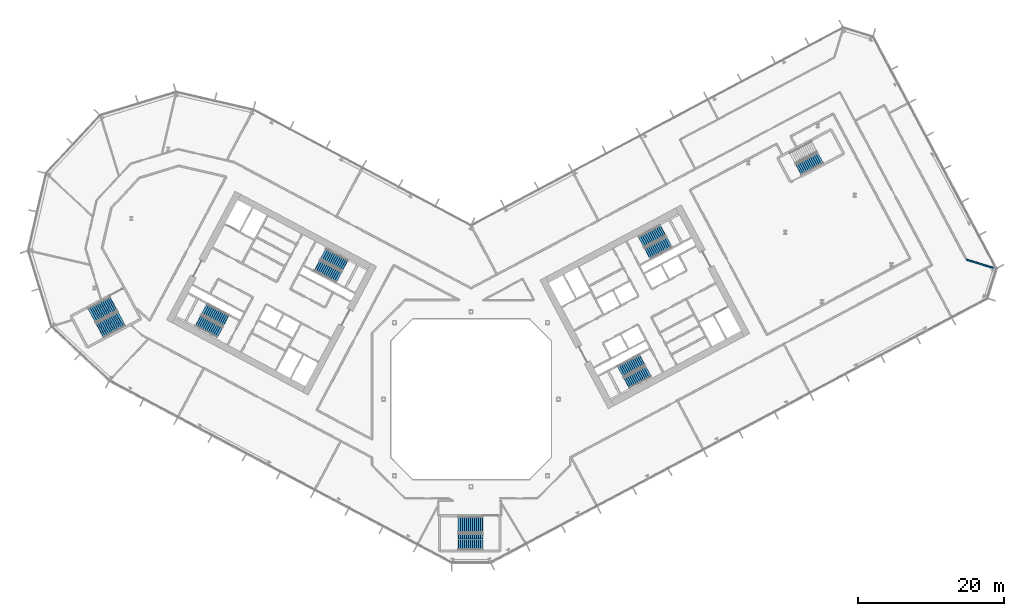
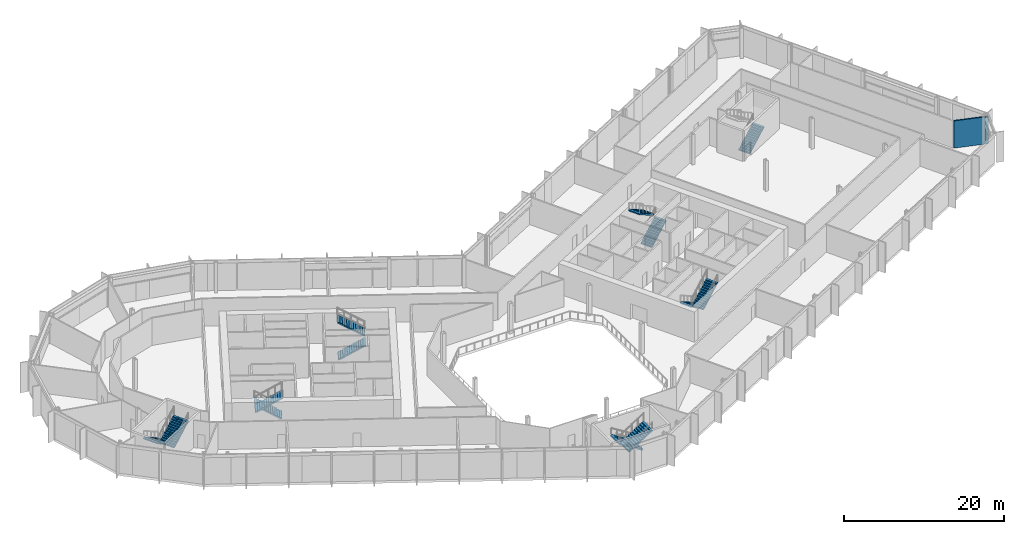
# One storey, part 19 of 31: 13 stair flights, 1 wall, 7 elements without a shape of their own.
"""IFC4 building model written with IfcOpenShell, lengths in metres."""

import ifcopenshell
import ifcopenshell.guid

model = None  # the IFC model being written
_history = None  # IfcOwnerHistory: only IFC2X3 demands one
_inside = {}  # id of a spatial element -> (the spatial element, [elements in it])
_under = {}  # id of a project, library or spatial element -> (it, [spatial elements below it])
_declared = {}  # id of a project -> (the project, [libraries it declares])
_typed = {}  # id of a type object -> (the type object, [elements of that type])
_made_of = {}  # id of a material, layer set ... -> (it, [elements and type objects made of it])


def new_model(schema):
    """Start an empty IFC model of exactly this schema.

    Asked for "IFC4X3", IfcOpenShell would pick the latest addendum, in which some entities
    have other attributes; the version numbers below select the first issue.
    IFC2X3 requires an IfcOwnerHistory on every rooted entity: one is made here for all.
    """
    global model, _history
    if schema == "IFC4X3":
        model = ifcopenshell.file(schema_version=(4, 3, 0, 0))
    else:
        model = ifcopenshell.file(schema=schema)
    _inside.clear()
    _under.clear()
    _declared.clear()
    _typed.clear()
    _made_of.clear()
    _history = None
    if model.schema == "IFC2X3":
        org = make("IfcOrganization", Name="unknown")
        user = make(
            "IfcPersonAndOrganization",
            ThePerson=make("IfcPerson", FamilyName="unknown"),
            TheOrganization=org,
        )
        app = make(
            "IfcApplication",
            ApplicationDeveloper=org,
            Version="unknown",
            ApplicationFullName="unknown",
            ApplicationIdentifier="unknown",
        )
        _history = make(
            "IfcOwnerHistory",
            OwningUser=user,
            OwningApplication=app,
            ChangeAction="ADDED",
            CreationDate=0,
        )
    return model


def make(cls, **values):
    """One entity of the class cls with the attributes given. An attribute that is None is left unset."""
    return model.create_entity(
        cls, **{name: value for name, value in values.items() if value is not None}
    )


def rooted(cls, **values):
    """An entity with a GlobalId (a new one), such as an element, a storey or a relation."""
    return make(cls, GlobalId=ifcopenshell.guid.new(), OwnerHistory=_history, **values)


def si_unit(unit_type, name, prefix=None):
    """IfcSIUnit, for example si_unit("LENGTHUNIT", "METRE", prefix="MILLI")."""
    return make("IfcSIUnit", UnitType=unit_type, Prefix=prefix, Name=name)


def assignment(units):
    """IfcUnitAssignment: the units of a project."""
    return None if units is None else make("IfcUnitAssignment", Units=units)


def point(xyz):
    """IfcCartesianPoint."""
    return None if xyz is None else make("IfcCartesianPoint", Coordinates=xyz)


def direction(xyz):
    """IfcDirection."""
    return None if xyz is None else make("IfcDirection", DirectionRatios=xyz)


def frame(location, z_axis=None, x_axis=None):
    """IfcAxis2Placement3D, a coordinate frame: its origin and axes. An axis left out is left unset."""
    return make(
        "IfcAxis2Placement3D",
        Location=point(location),
        Axis=direction(z_axis),
        RefDirection=direction(x_axis),
    )


def frame_2d(location, x_axis=None):
    """IfcAxis2Placement2D, a coordinate frame in the plane: its origin and x axis."""
    return make(
        "IfcAxis2Placement2D", Location=point(location), RefDirection=direction(x_axis)
    )


def origin():
    """The frame at (0, 0, 0) with its axes left unset."""
    return frame((0.0, 0.0, 0.0))


def place(relative_to, where):
    """IfcLocalPlacement: puts the frame where relative to a parent placement (None: the world)."""
    return make(
        "IfcLocalPlacement", PlacementRelTo=relative_to, RelativePlacement=where
    )


def context(
    kind, dimensions, precision=None, world=None, true_north=None, identifier=None
):
    """IfcGeometricRepresentationContext, for example the 3D "Model" context."""
    return make(
        "IfcGeometricRepresentationContext",
        ContextIdentifier=identifier,
        ContextType=kind,
        CoordinateSpaceDimension=dimensions,
        Precision=precision,
        WorldCoordinateSystem=world,
        TrueNorth=true_north,
    )


def subcontext(parent, identifier, kind, view, scale=None):
    """IfcGeometricRepresentationSubContext, for example "Body" below "Model"."""
    return make(
        "IfcGeometricRepresentationSubContext",
        ContextIdentifier=identifier,
        ContextType=kind,
        ParentContext=parent,
        TargetScale=scale,
        TargetView=view,
    )


def project(units=None, contexts=None):
    """IfcProject with its units and contexts."""
    return rooted(
        "IfcProject",
        Name="project",
        RepresentationContexts=contexts,
        UnitsInContext=assignment(units),
    )


def spatial(cls, under=None, at=None, **own):
    """A site, building, storey or space (cls), placed at a placement, below another one or the project."""
    s = rooted(cls, ObjectPlacement=at, **own)
    if under is not None:
        _under.setdefault(under.id(), (under, []))[1].append(s)
    return s


def polyline(points):
    """IfcPolyline through the points."""
    return make("IfcPolyline", Points=[point(p) for p in points])


def profile(cls, at=None, kind="AREA", **sizes):
    """A parametric profile (cls). Its sizes go by their IFC names, for example OverallWidth=200.0."""
    return make(cls, ProfileType=kind, Position=at, **sizes)


def rectangle(**sizes):
    """IfcRectangleProfileDef."""
    return profile("IfcRectangleProfileDef", **sizes)


def outline(outer, holes=None, kind="AREA"):
    """IfcArbitraryClosedProfileDef: a profile drawn as a closed curve; with holes, ...WithVoids."""
    if holes is None:
        return make("IfcArbitraryClosedProfileDef", ProfileType=kind, OuterCurve=outer)
    return make(
        "IfcArbitraryProfileDefWithVoids",
        ProfileType=kind,
        OuterCurve=outer,
        InnerCurves=holes,
    )


def extrude(swept, where, along, depth):
    """IfcExtrudedAreaSolid: the profile swept, set in the frame where, extruded along a direction by depth."""
    return make(
        "IfcExtrudedAreaSolid",
        SweptArea=swept,
        Position=where,
        ExtrudedDirection=direction(along),
        Depth=depth,
    )


def shape(context_of_items, identifier, shape_type, items):
    """IfcShapeRepresentation: the items that make up one representation, for example the "Body"."""
    return make(
        "IfcShapeRepresentation",
        ContextOfItems=context_of_items,
        RepresentationIdentifier=identifier,
        RepresentationType=shape_type,
        Items=items,
    )


def material(Name=None, Category=None):
    """IfcMaterial."""
    return make("IfcMaterial", Name=Name, Category=Category)


def layer(
    of_material, thickness, ventilated=None, Name=None, Category=None, Priority=None
):
    """IfcMaterialLayer: one layer of a wall or slab, of a material (None: an air gap)."""
    return make(
        "IfcMaterialLayer",
        Material=of_material,
        LayerThickness=thickness,
        IsVentilated=ventilated,
        Name=Name,
        Category=Category,
        Priority=Priority,
    )


def layer_set(layers, Name=None):
    """IfcMaterialLayerSet."""
    return make("IfcMaterialLayerSet", MaterialLayers=layers, LayerSetName=Name)


def made_of(thing, what):
    """Note that an element or type object is made of a material, layer set ...; save() writes the relation."""
    if what is not None:
        _made_of.setdefault(what.id(), (what, []))[1].append(thing)
    return thing


def type_object(cls, material=None, **own):
    """A type object (cls), such as IfcWallType, which elements share."""
    return made_of(rooted(cls, **own), material)


def element(
    cls,
    number,
    at=None,
    inside=None,
    cuts=None,
    type_object=None,
    material=None,
    context=None,
    identifier="Body",
    shape_type=None,
    held_by="IfcProductDefinitionShape",
    body=None,
    shapes=None,
    **own,
):
    """One element of the class cls, such as IfcWall. Its Tag is "e" and its number.

    at: its placement. inside: the storey or other place that contains it. cuts: it is an
    opening in that element (IfcRelVoidsElement). A single representation is given by context,
    identifier, shape_type and body (its items); several are given by shapes. held_by: the class
    of the entity that holds the representations. save() writes the other relations.
    """
    e = rooted(cls, Tag="e%d" % number, ObjectPlacement=at, **own)
    if body is not None:
        shapes = [shape(context, identifier, shape_type, body)]
    if shapes is not None:
        e.Representation = make(held_by, Representations=shapes)
    if inside is not None:
        _inside.setdefault(inside.id(), (inside, []))[1].append(e)
    if cuts is not None:
        rooted(
            "IfcRelVoidsElement", RelatingBuildingElement=cuts, RelatedOpeningElement=e
        )
    if type_object is not None:
        _typed.setdefault(type_object.id(), (type_object, []))[1].append(e)
    return made_of(e, material)


def aggregate(whole, parts):
    """IfcRelAggregates: a whole, such as a stair, and the parts it consists of."""
    return rooted("IfcRelAggregates", RelatingObject=whole, RelatedObjects=parts)


def save(model, path):
    """Write the relations noted so far, then the file.

    IfcRelAggregates (storeys below a building ...), IfcRelContainedInSpatialStructure (elements
    in a storey), IfcRelDefinesByType, IfcRelAssociatesMaterial and IfcRelDeclares: one each for
    every whole, place, type object, material and project.
    """
    for whole, parts in _under.values():
        aggregate(whole, parts)
    for where, things in _inside.values():
        rooted(
            "IfcRelContainedInSpatialStructure",
            RelatedElements=things,
            RelatingStructure=where,
        )
    for kind, things in _typed.values():
        rooted("IfcRelDefinesByType", RelatedObjects=things, RelatingType=kind)
    for what, things in _made_of.values():
        rooted("IfcRelAssociatesMaterial", RelatedObjects=things, RelatingMaterial=what)
    for by, libraries in _declared.values():
        rooted("IfcRelDeclares", RelatingContext=by, RelatedDefinitions=libraries)
    model.write(path)


model = new_model("IFC4")

# Units and contexts
model_context = context("Model", 3, precision=1e-05, world=origin(), true_north=direction((0.0, 1.0)))
body_context = subcontext(model_context, "Body", "Model", "MODEL_VIEW")
ifc_project = project(units=[si_unit("LENGTHUNIT", "METRE"), si_unit("AREAUNIT", "SQUARE_METRE"), si_unit("VOLUMEUNIT", "CUBIC_METRE"), si_unit("PLANEANGLEUNIT", "RADIAN"), si_unit("MASSUNIT", "GRAM", prefix="KILO")], contexts=[model_context])

# Site, building, storey
site_placement = place(None, origin())
site = spatial("IfcSite", under=ifc_project, at=site_placement, CompositionType="ELEMENT")
building_placement = place(site_placement, origin())
building = spatial("IfcBuilding", under=site, at=building_placement, Name="Cormorant Relay Tower", CompositionType="ELEMENT")
storey_placement = place(building_placement, frame((0.0, 0.0, 107.60009765625)))
storey = spatial("IfcBuildingStorey", under=building, at=storey_placement, Name="L21", CompositionType="ELEMENT", Elevation=107.60009765625)

# Wall
ifc_material_1 = material(Name="Fire-rated gypsum board partition")
ifc_layer = layer(ifc_material_1, 0.199951171875)
ifc_layer_set = layer_set([ifc_layer], Name="Fire-rated gypsum partition 200")
wall_type = type_object("IfcWallType", Name="Fire-rated gypsum partition 200", PredefinedType="PARTITIONING", material=ifc_layer_set)
wall_placement = place(storey_placement, frame((67.964111328125, 19.14990234375, 0.0), z_axis=(0.0, 0.0, 1.0), x_axis=(0.956240594273, -0.292581485854, 0.0)))
element("IfcWall", 1, at=wall_placement, inside=storey, type_object=wall_type, Name="wall/L21/part/72", PredefinedType="PARTITIONING", context=body_context, shape_type="SweptSolid", body=[
    extrude(rectangle(XDim=4.4599609375, YDim=0.199951171875, at=frame_2d((2.22998046875, 0.0))), origin(), (0.0, 0.0, 1.0), 4.14990234375),
])

# Stair, stair flights
ifc_material_2 = material(Name="Concrete 40 MPa", Category="concrete")
stair_type_1 = type_object("IfcStairType", Name="Exit stair 1500", PredefinedType="HALF_TURN_STAIR", material=ifc_material_2)
stair_1_placement = place(storey_placement, origin())
stair_1 = element("IfcStair", 2, at=stair_1_placement, inside=storey, type_object=stair_type_1, Name="L21 Stair", PredefinedType="HALF_TURN_STAIR")
ifc_material_3 = material(Name="Concrete 40 MPa", Category="concrete")
stair_flight_type_1 = type_object("IfcStairFlightType", Name="Exit stair flight 1650", PredefinedType="STRAIGHT", material=ifc_material_3)
stair_flight_1_placement = place(storey_placement, frame((-21.114501953125, 18.33349609375, 0.0), z_axis=(0.0, 0.0, 1.0), x_axis=(0.882947592859, -0.469471562786, 0.0)))
stair_flight_1 = element("IfcStairFlight", 3, at=stair_flight_1_placement, type_object=stair_flight_type_1, Name="A1 flight 1", NumberOfRisers=13, NumberOfTreads=12, PredefinedType="STRAIGHT", RiserHeight=0.176923077, TreadLength=0.28, context=body_context, shape_type="SweptSolid", body=[
    extrude(outline(polyline([(-0.050048828125, -0.080078125), (-0.050048828125, 0.0), (0.0, 0.0), (0.0, 0.177001953125), (0.280029296875, 0.177001953125), (0.280029296875, 0.353759765625), (0.56005859375, 0.353759765625), (0.56005859375, 0.53076171875), (0.840087890625, 0.53076171875), (0.840087890625, 0.707763671875), (1.1201171875, 0.707763671875), (1.1201171875, 0.884521484375), (1.39990234375, 0.884521484375), (1.39990234375, 1.0615234375), (1.679931640625, 1.0615234375), (1.679931640625, 1.238525390625), (1.9599609375, 1.238525390625), (1.9599609375, 1.415283203125), (2.239990234375, 1.415283203125), (2.239990234375, 1.59228515625), (2.52001953125, 1.59228515625), (2.52001953125, 1.769287109375), (2.800048828125, 1.769287109375), (2.800048828125, 1.946044921875), (3.080078125, 1.946044921875), (3.080078125, 2.123046875), (3.360107421875, 2.123046875), (3.41015625, 2.123046875), (3.41015625, 1.94580078125), (3.360107421875, 1.94580078125), (0.280517578125, 0.0), (-0.050048828125, -0.080078125)])), frame((0.0, 0.824951171875, 0.0), z_axis=(0.0, -1.0, 0.0), x_axis=(1.0, 0.0, 0.0)), (0.0, 0.0, 1.0), 1.64990234375),
])
stair_flight_2_placement = place(storey_placement, frame((-17.302734375, 18.345458984375, 2.2998046875), z_axis=(0.0, 0.0, 1.0), x_axis=(-0.882947592859, 0.469471562786, 0.0)))
stair_flight_2 = element("IfcStairFlight", 4, at=stair_flight_2_placement, type_object=stair_flight_type_1, Name="A1 flight 2", NumberOfRisers=13, NumberOfTreads=12, PredefinedType="STRAIGHT", RiserHeight=0.176923077, TreadLength=0.28, context=body_context, shape_type="SweptSolid", body=[
    extrude(outline(polyline([(-0.050048828125, -0.080078125), (-0.050048828125, 0.0), (0.0, 0.0), (0.0, 0.177001953125), (0.280029296875, 0.177001953125), (0.280029296875, 0.353759765625), (0.56005859375, 0.353759765625), (0.56005859375, 0.53076171875), (0.840087890625, 0.53076171875), (0.840087890625, 0.707763671875), (1.1201171875, 0.707763671875), (1.1201171875, 0.884521484375), (1.39990234375, 0.884521484375), (1.39990234375, 1.0615234375), (1.679931640625, 1.0615234375), (1.679931640625, 1.238525390625), (1.9599609375, 1.238525390625), (1.9599609375, 1.415283203125), (2.239990234375, 1.415283203125), (2.239990234375, 1.59228515625), (2.52001953125, 1.59228515625), (2.52001953125, 1.769287109375), (2.800048828125, 1.769287109375), (2.800048828125, 1.946044921875), (3.080078125, 1.946044921875), (3.080078125, 2.123046875), (3.360107421875, 2.123046875), (3.41015625, 2.123046875), (3.41015625, 1.94580078125), (3.360107421875, 1.94580078125), (0.280517578125, 0.0), (-0.050048828125, -0.080078125)])), frame((0.0, 0.824951171875, 0.0), z_axis=(0.0, -1.0, 0.0), x_axis=(1.0, 0.0, 0.0)), (0.0, 0.0, 1.0), 1.64990234375),
])
aggregate(stair_1, [stair_flight_1, stair_flight_2])

stair_2_placement = place(storey_placement, origin())
stair_2 = element("IfcStair", 5, at=stair_2_placement, inside=storey, type_object=stair_type_1, Name="L21 Stair", PredefinedType="HALF_TURN_STAIR")
stair_flight_3_placement = place(storey_placement, frame((-33.62841796875, 10.773681640625, 0.0), z_axis=(0.0, 0.0, 1.0), x_axis=(-0.882947592859, 0.469471562786, 0.0)))
stair_flight_3 = element("IfcStairFlight", 6, at=stair_flight_3_placement, type_object=stair_flight_type_1, Name="A2 flight 1", NumberOfRisers=13, NumberOfTreads=12, PredefinedType="STRAIGHT", RiserHeight=0.176923077, TreadLength=0.28, context=body_context, shape_type="SweptSolid", body=[
    extrude(outline(polyline([(-0.050048828125, -0.080078125), (-0.050048828125, 0.0), (0.0, 0.0), (0.0, 0.177001953125), (0.280029296875, 0.177001953125), (0.280029296875, 0.353759765625), (0.56005859375, 0.353759765625), (0.56005859375, 0.53076171875), (0.840087890625, 0.53076171875), (0.840087890625, 0.707763671875), (1.1201171875, 0.707763671875), (1.1201171875, 0.884521484375), (1.39990234375, 0.884521484375), (1.39990234375, 1.0615234375), (1.679931640625, 1.0615234375), (1.679931640625, 1.238525390625), (1.9599609375, 1.238525390625), (1.9599609375, 1.415283203125), (2.239990234375, 1.415283203125), (2.239990234375, 1.59228515625), (2.52001953125, 1.59228515625), (2.52001953125, 1.769287109375), (2.800048828125, 1.769287109375), (2.800048828125, 1.946044921875), (3.080078125, 1.946044921875), (3.080078125, 2.123046875), (3.360107421875, 2.123046875), (3.41015625, 2.123046875), (3.41015625, 1.94580078125), (3.360107421875, 1.94580078125), (0.280517578125, 0.0), (-0.050048828125, -0.080078125)])), frame((0.0, 0.824951171875, 0.0), z_axis=(0.0, -1.0, 0.0), x_axis=(1.0, 0.0, 0.0)), (0.0, 0.0, 1.0), 1.64990234375),
])
stair_flight_4_placement = place(storey_placement, frame((-37.440185546875, 10.76171875, 2.2998046875), z_axis=(0.0, 0.0, 1.0), x_axis=(0.882947592859, -0.469471562786, 0.0)))
stair_flight_4 = element("IfcStairFlight", 7, at=stair_flight_4_placement, type_object=stair_flight_type_1, Name="A2 flight 2", NumberOfRisers=13, NumberOfTreads=12, PredefinedType="STRAIGHT", RiserHeight=0.176923077, TreadLength=0.28, context=body_context, shape_type="SweptSolid", body=[
    extrude(outline(polyline([(-0.050048828125, -0.080078125), (-0.050048828125, 0.0), (0.0, 0.0), (0.0, 0.177001953125), (0.280029296875, 0.177001953125), (0.280029296875, 0.353759765625), (0.56005859375, 0.353759765625), (0.56005859375, 0.53076171875), (0.840087890625, 0.53076171875), (0.840087890625, 0.707763671875), (1.1201171875, 0.707763671875), (1.1201171875, 0.884521484375), (1.39990234375, 0.884521484375), (1.39990234375, 1.0615234375), (1.679931640625, 1.0615234375), (1.679931640625, 1.238525390625), (1.9599609375, 1.238525390625), (1.9599609375, 1.415283203125), (2.239990234375, 1.415283203125), (2.239990234375, 1.59228515625), (2.52001953125, 1.59228515625), (2.52001953125, 1.769287109375), (2.800048828125, 1.769287109375), (2.800048828125, 1.946044921875), (3.080078125, 1.946044921875), (3.080078125, 2.123046875), (3.360107421875, 2.123046875), (3.41015625, 2.123046875), (3.41015625, 1.94580078125), (3.360107421875, 1.94580078125), (0.280517578125, 0.0), (-0.050048828125, -0.080078125)])), frame((0.0, 0.824951171875, 0.0), z_axis=(0.0, -1.0, 0.0), x_axis=(1.0, 0.0, 0.0)), (0.0, 0.0, 1.0), 1.64990234375),
])
aggregate(stair_2, [stair_flight_3, stair_flight_4])

stair_3_placement = place(storey_placement, origin())
stair_3 = element("IfcStair", 8, at=stair_3_placement, inside=storey, type_object=stair_type_1, Name="L21 Stair", PredefinedType="HALF_TURN_STAIR")
stair_flight_5_placement = place(storey_placement, frame((23.474365234375, 5.374755859375, 0.0), z_axis=(0.0, 0.0, 1.0), x_axis=(-0.882947592859, -0.469471562786, 0.0)))
stair_flight_5 = element("IfcStairFlight", 9, at=stair_flight_5_placement, type_object=stair_flight_type_1, Name="B1 flight 1", NumberOfRisers=13, NumberOfTreads=12, PredefinedType="STRAIGHT", RiserHeight=0.176923077, TreadLength=0.28, context=body_context, shape_type="SweptSolid", body=[
    extrude(outline(polyline([(-0.050048828125, -0.080078125), (-0.050048828125, 0.0), (0.0, 0.0), (0.0, 0.177001953125), (0.280029296875, 0.177001953125), (0.280029296875, 0.353759765625), (0.56005859375, 0.353759765625), (0.56005859375, 0.53076171875), (0.840087890625, 0.53076171875), (0.840087890625, 0.707763671875), (1.1201171875, 0.707763671875), (1.1201171875, 0.884521484375), (1.39990234375, 0.884521484375), (1.39990234375, 1.0615234375), (1.679931640625, 1.0615234375), (1.679931640625, 1.238525390625), (1.9599609375, 1.238525390625), (1.9599609375, 1.415283203125), (2.239990234375, 1.415283203125), (2.239990234375, 1.59228515625), (2.52001953125, 1.59228515625), (2.52001953125, 1.769287109375), (2.800048828125, 1.769287109375), (2.800048828125, 1.946044921875), (3.080078125, 1.946044921875), (3.080078125, 2.123046875), (3.360107421875, 2.123046875), (3.41015625, 2.123046875), (3.41015625, 1.94580078125), (3.360107421875, 1.94580078125), (0.280517578125, 0.0), (-0.050048828125, -0.080078125)])), frame((0.0, 0.824951171875, 0.0), z_axis=(0.0, -1.0, 0.0), x_axis=(1.0, 0.0, 0.0)), (0.0, 0.0, 1.0), 1.64990234375),
])
stair_flight_6_placement = place(storey_placement, frame((21.352783203125, 2.2080078125, 2.2998046875), z_axis=(0.0, 0.0, 1.0), x_axis=(0.882947592859, 0.469471562786, 0.0)))
stair_flight_6 = element("IfcStairFlight", 10, at=stair_flight_6_placement, type_object=stair_flight_type_1, Name="B1 flight 2", NumberOfRisers=13, NumberOfTreads=12, PredefinedType="STRAIGHT", RiserHeight=0.176923077, TreadLength=0.28, context=body_context, shape_type="SweptSolid", body=[
    extrude(outline(polyline([(-0.050048828125, -0.080078125), (-0.050048828125, 0.0), (0.0, 0.0), (0.0, 0.177001953125), (0.280029296875, 0.177001953125), (0.280029296875, 0.353759765625), (0.56005859375, 0.353759765625), (0.56005859375, 0.53076171875), (0.840087890625, 0.53076171875), (0.840087890625, 0.707763671875), (1.1201171875, 0.707763671875), (1.1201171875, 0.884521484375), (1.39990234375, 0.884521484375), (1.39990234375, 1.0615234375), (1.679931640625, 1.0615234375), (1.679931640625, 1.238525390625), (1.9599609375, 1.238525390625), (1.9599609375, 1.415283203125), (2.239990234375, 1.415283203125), (2.239990234375, 1.59228515625), (2.52001953125, 1.59228515625), (2.52001953125, 1.769287109375), (2.800048828125, 1.769287109375), (2.800048828125, 1.946044921875), (3.080078125, 1.946044921875), (3.080078125, 2.123046875), (3.360107421875, 2.123046875), (3.41015625, 2.123046875), (3.41015625, 1.94580078125), (3.360107421875, 1.94580078125), (0.280517578125, 0.0), (-0.050048828125, -0.080078125)])), frame((0.0, 0.824951171875, 0.0), z_axis=(0.0, -1.0, 0.0), x_axis=(1.0, 0.0, 0.0)), (0.0, 0.0, 1.0), 1.64990234375),
])
aggregate(stair_3, [stair_flight_5, stair_flight_6])

stair_4_placement = place(storey_placement, origin())
stair_4 = element("IfcStair", 11, at=stair_4_placement, inside=storey, type_object=stair_type_1, Name="L21 Stair", PredefinedType="HALF_TURN_STAIR")
stair_flight_7_placement = place(storey_placement, frame((24.20458984375, 19.976806640625, 0.0), z_axis=(0.0, 0.0, 1.0), x_axis=(0.882947592859, 0.469471562786, 0.0)))
stair_flight_7 = element("IfcStairFlight", 12, at=stair_flight_7_placement, type_object=stair_flight_type_1, Name="B2 flight 1", NumberOfRisers=13, NumberOfTreads=12, PredefinedType="STRAIGHT", RiserHeight=0.176923077, TreadLength=0.28, context=body_context, shape_type="SweptSolid", body=[
    extrude(outline(polyline([(-0.050048828125, -0.080078125), (-0.050048828125, 0.0), (0.0, 0.0), (0.0, 0.177001953125), (0.280029296875, 0.177001953125), (0.280029296875, 0.353759765625), (0.56005859375, 0.353759765625), (0.56005859375, 0.53076171875), (0.840087890625, 0.53076171875), (0.840087890625, 0.707763671875), (1.1201171875, 0.707763671875), (1.1201171875, 0.884521484375), (1.39990234375, 0.884521484375), (1.39990234375, 1.0615234375), (1.679931640625, 1.0615234375), (1.679931640625, 1.238525390625), (1.9599609375, 1.238525390625), (1.9599609375, 1.415283203125), (2.239990234375, 1.415283203125), (2.239990234375, 1.59228515625), (2.52001953125, 1.59228515625), (2.52001953125, 1.769287109375), (2.800048828125, 1.769287109375), (2.800048828125, 1.946044921875), (3.080078125, 1.946044921875), (3.080078125, 2.123046875), (3.360107421875, 2.123046875), (3.41015625, 2.123046875), (3.41015625, 1.94580078125), (3.360107421875, 1.94580078125), (0.280517578125, 0.0), (-0.050048828125, -0.080078125)])), frame((0.0, 0.824951171875, 0.0), z_axis=(0.0, -1.0, 0.0), x_axis=(1.0, 0.0, 0.0)), (0.0, 0.0, 1.0), 1.64990234375),
])
stair_flight_8_placement = place(storey_placement, frame((26.326416015625, 23.1435546875, 2.2998046875), z_axis=(0.0, 0.0, 1.0), x_axis=(-0.882947592859, -0.469471562786, 0.0)))
stair_flight_8 = element("IfcStairFlight", 13, at=stair_flight_8_placement, type_object=stair_flight_type_1, Name="B2 flight 2", NumberOfRisers=13, NumberOfTreads=12, PredefinedType="STRAIGHT", RiserHeight=0.176923077, TreadLength=0.28, context=body_context, shape_type="SweptSolid", body=[
    extrude(outline(polyline([(-0.050048828125, -0.080078125), (-0.050048828125, 0.0), (0.0, 0.0), (0.0, 0.177001953125), (0.280029296875, 0.177001953125), (0.280029296875, 0.353759765625), (0.56005859375, 0.353759765625), (0.56005859375, 0.53076171875), (0.840087890625, 0.53076171875), (0.840087890625, 0.707763671875), (1.1201171875, 0.707763671875), (1.1201171875, 0.884521484375), (1.39990234375, 0.884521484375), (1.39990234375, 1.0615234375), (1.679931640625, 1.0615234375), (1.679931640625, 1.238525390625), (1.9599609375, 1.238525390625), (1.9599609375, 1.415283203125), (2.239990234375, 1.415283203125), (2.239990234375, 1.59228515625), (2.52001953125, 1.59228515625), (2.52001953125, 1.769287109375), (2.800048828125, 1.769287109375), (2.800048828125, 1.946044921875), (3.080078125, 1.946044921875), (3.080078125, 2.123046875), (3.360107421875, 2.123046875), (3.41015625, 2.123046875), (3.41015625, 1.94580078125), (3.360107421875, 1.94580078125), (0.280517578125, 0.0), (-0.050048828125, -0.080078125)])), frame((0.0, 0.824951171875, 0.0), z_axis=(0.0, -1.0, 0.0), x_axis=(1.0, 0.0, 0.0)), (0.0, 0.0, 1.0), 1.64990234375),
])
aggregate(stair_4, [stair_flight_7, stair_flight_8])

# Stair, stair flight
stair_5_placement = place(storey_placement, origin())
stair_5 = element("IfcStair", 14, at=stair_5_placement, inside=storey, type_object=stair_type_1, Name="L21 Stair", PredefinedType="HALF_TURN_STAIR")
stair_flight_9_placement = place(storey_placement, frame((44.947509765625, 31.502197265625, 0.0), z_axis=(0.0, 0.0, 1.0), x_axis=(0.882947502727, 0.4694717323, 0.0)))
stair_flight_9 = element("IfcStairFlight", 15, at=stair_flight_9_placement, type_object=stair_flight_type_1, Name="RB1 flight 1", NumberOfRisers=13, NumberOfTreads=12, PredefinedType="STRAIGHT", RiserHeight=0.176923077, TreadLength=0.28, context=body_context, shape_type="SweptSolid", body=[
    extrude(outline(polyline([(-0.050048828125, -0.080078125), (-0.050048828125, 0.0), (0.0, 0.0), (0.0, 0.177001953125), (0.280029296875, 0.177001953125), (0.280029296875, 0.353759765625), (0.56005859375, 0.353759765625), (0.56005859375, 0.53076171875), (0.840087890625, 0.53076171875), (0.840087890625, 0.707763671875), (1.1201171875, 0.707763671875), (1.1201171875, 0.884521484375), (1.39990234375, 0.884521484375), (1.39990234375, 1.0615234375), (1.679931640625, 1.0615234375), (1.679931640625, 1.238525390625), (1.9599609375, 1.238525390625), (1.9599609375, 1.415283203125), (2.239990234375, 1.415283203125), (2.239990234375, 1.59228515625), (2.52001953125, 1.59228515625), (2.52001953125, 1.769287109375), (2.800048828125, 1.769287109375), (2.800048828125, 1.946044921875), (3.080078125, 1.946044921875), (3.080078125, 2.123046875), (3.360107421875, 2.123046875), (3.41015625, 2.123046875), (3.41015625, 1.94580078125), (3.360107421875, 1.94580078125), (0.280517578125, 0.0), (-0.050048828125, -0.080078125)])), frame((0.0, 0.824951171875, 0.0), z_axis=(0.0, -1.0, 0.0), x_axis=(1.0, 0.0, 0.0)), (0.0, 0.0, 1.0), 1.64990234375),
])
aggregate(stair_5, [stair_flight_9])

# Stair, stair flights
ifc_material_4 = material(Name="Concrete 40 MPa", Category="concrete")
stair_type_2 = type_object("IfcStairType", Name="Remote exit stair 2200", PredefinedType="HALF_TURN_STAIR", material=ifc_material_4)
stair_6_placement = place(storey_placement, origin())
stair_6 = element("IfcStair", 16, at=stair_6_placement, inside=storey, type_object=stair_type_2, Name="L21 Stair", PredefinedType="HALF_TURN_STAIR")
ifc_material_5 = material(Name="Concrete 40 MPa", Category="concrete")
stair_flight_type_2 = type_object("IfcStairFlightType", Name="Remote exit stair flight 2200", PredefinedType="STRAIGHT", material=ifc_material_5)
stair_flight_10_placement = place(storey_placement, frame((1.60009765625, -17.22509765625, 0.0), z_axis=(0.0, 0.0, 1.0), x_axis=(-1.0, 0.0, 0.0)))
stair_flight_10 = element("IfcStairFlight", 17, at=stair_flight_10_placement, type_object=stair_flight_type_2, Name="RK1 flight 1", NumberOfRisers=13, NumberOfTreads=12, PredefinedType="STRAIGHT", RiserHeight=0.176923077, TreadLength=0.28, context=body_context, shape_type="SweptSolid", body=[
    extrude(outline(polyline([(-0.050048828125, -0.080078125), (-0.050048828125, 0.0), (0.0, 0.0), (0.0, 0.177001953125), (0.280029296875, 0.177001953125), (0.280029296875, 0.353759765625), (0.56005859375, 0.353759765625), (0.56005859375, 0.53076171875), (0.840087890625, 0.53076171875), (0.840087890625, 0.707763671875), (1.1201171875, 0.707763671875), (1.1201171875, 0.884521484375), (1.39990234375, 0.884521484375), (1.39990234375, 1.0615234375), (1.679931640625, 1.0615234375), (1.679931640625, 1.238525390625), (1.9599609375, 1.238525390625), (1.9599609375, 1.415283203125), (2.239990234375, 1.415283203125), (2.239990234375, 1.59228515625), (2.52001953125, 1.59228515625), (2.52001953125, 1.769287109375), (2.800048828125, 1.769287109375), (2.800048828125, 1.946044921875), (3.080078125, 1.946044921875), (3.080078125, 2.123046875), (3.360107421875, 2.123046875), (3.41015625, 2.123046875), (3.41015625, 1.94580078125), (3.360107421875, 1.94580078125), (0.280517578125, 0.0), (-0.050048828125, -0.080078125)])), frame((0.0, 1.10009765625, 0.0), z_axis=(0.0, -1.0, 0.0), x_axis=(1.0, 0.0, 0.0)), (0.0, 0.0, 1.0), 0.719970703125),
    extrude(outline(polyline([(-0.050048828125, -0.080078125), (-0.050048828125, 0.0), (0.0, 0.0), (0.0, 0.177001953125), (0.280029296875, 0.177001953125), (0.280029296875, 0.353759765625), (0.56005859375, 0.353759765625), (0.56005859375, 0.53076171875), (0.840087890625, 0.53076171875), (0.840087890625, 0.707763671875), (1.1201171875, 0.707763671875), (1.1201171875, 0.884521484375), (1.39990234375, 0.884521484375), (1.39990234375, 1.0615234375), (1.679931640625, 1.0615234375), (1.679931640625, 1.238525390625), (1.9599609375, 1.238525390625), (1.9599609375, 1.415283203125), (2.239990234375, 1.415283203125), (2.239990234375, 1.59228515625), (2.52001953125, 1.59228515625), (2.52001953125, 1.769287109375), (2.800048828125, 1.769287109375), (2.800048828125, 1.946044921875), (3.080078125, 1.946044921875), (3.080078125, 2.123046875), (3.360107421875, 2.123046875), (3.41015625, 2.123046875), (3.41015625, 1.94580078125), (3.360107421875, 1.94580078125), (0.280517578125, 0.0), (-0.050048828125, -0.080078125)])), frame((0.0, 0.360107421875, 0.0), z_axis=(0.0, -1.0, 0.0), x_axis=(1.0, 0.0, 0.0)), (0.0, 0.0, 1.0), 0.719970703125),
    extrude(outline(polyline([(-0.050048828125, -0.080078125), (-0.050048828125, 0.0), (0.0, 0.0), (0.0, 0.177001953125), (0.280029296875, 0.177001953125), (0.280029296875, 0.353759765625), (0.56005859375, 0.353759765625), (0.56005859375, 0.53076171875), (0.840087890625, 0.53076171875), (0.840087890625, 0.707763671875), (1.1201171875, 0.707763671875), (1.1201171875, 0.884521484375), (1.39990234375, 0.884521484375), (1.39990234375, 1.0615234375), (1.679931640625, 1.0615234375), (1.679931640625, 1.238525390625), (1.9599609375, 1.238525390625), (1.9599609375, 1.415283203125), (2.239990234375, 1.415283203125), (2.239990234375, 1.59228515625), (2.52001953125, 1.59228515625), (2.52001953125, 1.769287109375), (2.800048828125, 1.769287109375), (2.800048828125, 1.946044921875), (3.080078125, 1.946044921875), (3.080078125, 2.123046875), (3.360107421875, 2.123046875), (3.41015625, 2.123046875), (3.41015625, 1.94580078125), (3.360107421875, 1.94580078125), (0.280517578125, 0.0), (-0.050048828125, -0.080078125)])), frame((0.0, -0.3798828125, 0.0), z_axis=(0.0, -1.0, 0.0), x_axis=(1.0, 0.0, 0.0)), (0.0, 0.0, 1.0), 0.719970703125),
])
stair_flight_11_placement = place(storey_placement, frame((-1.760009765625, -19.574951171875, 2.2998046875), z_axis=(0.0, 0.0, 1.0), x_axis=(1.0, 0.0, 0.0)))
stair_flight_11 = element("IfcStairFlight", 18, at=stair_flight_11_placement, type_object=stair_flight_type_2, Name="RK1 flight 2", NumberOfRisers=13, NumberOfTreads=12, PredefinedType="STRAIGHT", RiserHeight=0.176923077, TreadLength=0.28, context=body_context, shape_type="SweptSolid", body=[
    extrude(outline(polyline([(-0.050048828125, -0.080078125), (-0.050048828125, 0.0), (0.0, 0.0), (0.0, 0.177001953125), (0.280029296875, 0.177001953125), (0.280029296875, 0.353759765625), (0.56005859375, 0.353759765625), (0.56005859375, 0.53076171875), (0.840087890625, 0.53076171875), (0.840087890625, 0.707763671875), (1.1201171875, 0.707763671875), (1.1201171875, 0.884521484375), (1.39990234375, 0.884521484375), (1.39990234375, 1.0615234375), (1.679931640625, 1.0615234375), (1.679931640625, 1.238525390625), (1.9599609375, 1.238525390625), (1.9599609375, 1.415283203125), (2.239990234375, 1.415283203125), (2.239990234375, 1.59228515625), (2.52001953125, 1.59228515625), (2.52001953125, 1.769287109375), (2.800048828125, 1.769287109375), (2.800048828125, 1.946044921875), (3.080078125, 1.946044921875), (3.080078125, 2.123046875), (3.360107421875, 2.123046875), (3.41015625, 2.123046875), (3.41015625, 1.94580078125), (3.360107421875, 1.94580078125), (0.280517578125, 0.0), (-0.050048828125, -0.080078125)])), frame((0.0, 1.10009765625, 0.0), z_axis=(0.0, -1.0, 0.0), x_axis=(1.0, 0.0, 0.0)), (0.0, 0.0, 1.0), 0.719970703125),
    extrude(outline(polyline([(-0.050048828125, -0.080078125), (-0.050048828125, 0.0), (0.0, 0.0), (0.0, 0.177001953125), (0.280029296875, 0.177001953125), (0.280029296875, 0.353759765625), (0.56005859375, 0.353759765625), (0.56005859375, 0.53076171875), (0.840087890625, 0.53076171875), (0.840087890625, 0.707763671875), (1.1201171875, 0.707763671875), (1.1201171875, 0.884521484375), (1.39990234375, 0.884521484375), (1.39990234375, 1.0615234375), (1.679931640625, 1.0615234375), (1.679931640625, 1.238525390625), (1.9599609375, 1.238525390625), (1.9599609375, 1.415283203125), (2.239990234375, 1.415283203125), (2.239990234375, 1.59228515625), (2.52001953125, 1.59228515625), (2.52001953125, 1.769287109375), (2.800048828125, 1.769287109375), (2.800048828125, 1.946044921875), (3.080078125, 1.946044921875), (3.080078125, 2.123046875), (3.360107421875, 2.123046875), (3.41015625, 2.123046875), (3.41015625, 1.94580078125), (3.360107421875, 1.94580078125), (0.280517578125, 0.0), (-0.050048828125, -0.080078125)])), frame((0.0, 0.360107421875, 0.0), z_axis=(0.0, -1.0, 0.0), x_axis=(1.0, 0.0, 0.0)), (0.0, 0.0, 1.0), 0.719970703125),
    extrude(outline(polyline([(-0.050048828125, -0.080078125), (-0.050048828125, 0.0), (0.0, 0.0), (0.0, 0.177001953125), (0.280029296875, 0.177001953125), (0.280029296875, 0.353759765625), (0.56005859375, 0.353759765625), (0.56005859375, 0.53076171875), (0.840087890625, 0.53076171875), (0.840087890625, 0.707763671875), (1.1201171875, 0.707763671875), (1.1201171875, 0.884521484375), (1.39990234375, 0.884521484375), (1.39990234375, 1.0615234375), (1.679931640625, 1.0615234375), (1.679931640625, 1.238525390625), (1.9599609375, 1.238525390625), (1.9599609375, 1.415283203125), (2.239990234375, 1.415283203125), (2.239990234375, 1.59228515625), (2.52001953125, 1.59228515625), (2.52001953125, 1.769287109375), (2.800048828125, 1.769287109375), (2.800048828125, 1.946044921875), (3.080078125, 1.946044921875), (3.080078125, 2.123046875), (3.360107421875, 2.123046875), (3.41015625, 2.123046875), (3.41015625, 1.94580078125), (3.360107421875, 1.94580078125), (0.280517578125, 0.0), (-0.050048828125, -0.080078125)])), frame((0.0, -0.3798828125, 0.0), z_axis=(0.0, -1.0, 0.0), x_axis=(1.0, 0.0, 0.0)), (0.0, 0.0, 1.0), 0.719970703125),
])
aggregate(stair_6, [stair_flight_10, stair_flight_11])

stair_7_placement = place(storey_placement, origin())
stair_7 = element("IfcStair", 19, at=stair_7_placement, inside=storey, type_object=stair_type_2, Name="L21 Stair", PredefinedType="HALF_TURN_STAIR")
stair_flight_12_placement = place(storey_placement, frame((-49.062255859375, 13.08251953125, 0.0), z_axis=(0.0, 0.0, 1.0), x_axis=(-0.882947502727, -0.4694717323, 0.0)))
stair_flight_12 = element("IfcStairFlight", 20, at=stair_flight_12_placement, type_object=stair_flight_type_2, Name="RP1 flight 1", NumberOfRisers=13, NumberOfTreads=12, PredefinedType="STRAIGHT", RiserHeight=0.176923077, TreadLength=0.28, context=body_context, shape_type="SweptSolid", body=[
    extrude(outline(polyline([(-0.050048828125, -0.080078125), (-0.050048828125, 0.0), (0.0, 0.0), (0.0, 0.177001953125), (0.280029296875, 0.177001953125), (0.280029296875, 0.353759765625), (0.56005859375, 0.353759765625), (0.56005859375, 0.53076171875), (0.840087890625, 0.53076171875), (0.840087890625, 0.707763671875), (1.1201171875, 0.707763671875), (1.1201171875, 0.884521484375), (1.39990234375, 0.884521484375), (1.39990234375, 1.0615234375), (1.679931640625, 1.0615234375), (1.679931640625, 1.238525390625), (1.9599609375, 1.238525390625), (1.9599609375, 1.415283203125), (2.239990234375, 1.415283203125), (2.239990234375, 1.59228515625), (2.52001953125, 1.59228515625), (2.52001953125, 1.769287109375), (2.800048828125, 1.769287109375), (2.800048828125, 1.946044921875), (3.080078125, 1.946044921875), (3.080078125, 2.123046875), (3.360107421875, 2.123046875), (3.41015625, 2.123046875), (3.41015625, 1.94580078125), (3.360107421875, 1.94580078125), (0.280517578125, 0.0), (-0.050048828125, -0.080078125)])), frame((0.0, 1.10009765625, 0.0), z_axis=(0.0, -1.0, 0.0), x_axis=(1.0, 0.0, 0.0)), (0.0, 0.0, 1.0), 0.719970703125),
    extrude(outline(polyline([(-0.050048828125, -0.080078125), (-0.050048828125, 0.0), (0.0, 0.0), (0.0, 0.177001953125), (0.280029296875, 0.177001953125), (0.280029296875, 0.353759765625), (0.56005859375, 0.353759765625), (0.56005859375, 0.53076171875), (0.840087890625, 0.53076171875), (0.840087890625, 0.707763671875), (1.1201171875, 0.707763671875), (1.1201171875, 0.884521484375), (1.39990234375, 0.884521484375), (1.39990234375, 1.0615234375), (1.679931640625, 1.0615234375), (1.679931640625, 1.238525390625), (1.9599609375, 1.238525390625), (1.9599609375, 1.415283203125), (2.239990234375, 1.415283203125), (2.239990234375, 1.59228515625), (2.52001953125, 1.59228515625), (2.52001953125, 1.769287109375), (2.800048828125, 1.769287109375), (2.800048828125, 1.946044921875), (3.080078125, 1.946044921875), (3.080078125, 2.123046875), (3.360107421875, 2.123046875), (3.41015625, 2.123046875), (3.41015625, 1.94580078125), (3.360107421875, 1.94580078125), (0.280517578125, 0.0), (-0.050048828125, -0.080078125)])), frame((0.0, 0.360107421875, 0.0), z_axis=(0.0, -1.0, 0.0), x_axis=(1.0, 0.0, 0.0)), (0.0, 0.0, 1.0), 0.719970703125),
    extrude(outline(polyline([(-0.050048828125, -0.080078125), (-0.050048828125, 0.0), (0.0, 0.0), (0.0, 0.177001953125), (0.280029296875, 0.177001953125), (0.280029296875, 0.353759765625), (0.56005859375, 0.353759765625), (0.56005859375, 0.53076171875), (0.840087890625, 0.53076171875), (0.840087890625, 0.707763671875), (1.1201171875, 0.707763671875), (1.1201171875, 0.884521484375), (1.39990234375, 0.884521484375), (1.39990234375, 1.0615234375), (1.679931640625, 1.0615234375), (1.679931640625, 1.238525390625), (1.9599609375, 1.238525390625), (1.9599609375, 1.415283203125), (2.239990234375, 1.415283203125), (2.239990234375, 1.59228515625), (2.52001953125, 1.59228515625), (2.52001953125, 1.769287109375), (2.800048828125, 1.769287109375), (2.800048828125, 1.946044921875), (3.080078125, 1.946044921875), (3.080078125, 2.123046875), (3.360107421875, 2.123046875), (3.41015625, 2.123046875), (3.41015625, 1.94580078125), (3.360107421875, 1.94580078125), (0.280517578125, 0.0), (-0.050048828125, -0.080078125)])), frame((0.0, -0.3798828125, 0.0), z_axis=(0.0, -1.0, 0.0), x_axis=(1.0, 0.0, 0.0)), (0.0, 0.0, 1.0), 0.719970703125),
])
stair_flight_13_placement = place(storey_placement, frame((-50.92578125, 9.43017578125, 2.2998046875), z_axis=(0.0, 0.0, 1.0), x_axis=(0.882947502727, 0.4694717323, 0.0)))
stair_flight_13 = element("IfcStairFlight", 21, at=stair_flight_13_placement, type_object=stair_flight_type_2, Name="RP1 flight 2", NumberOfRisers=13, NumberOfTreads=12, PredefinedType="STRAIGHT", RiserHeight=0.176923077, TreadLength=0.28, context=body_context, shape_type="SweptSolid", body=[
    extrude(outline(polyline([(-0.050048828125, -0.080078125), (-0.050048828125, 0.0), (0.0, 0.0), (0.0, 0.177001953125), (0.280029296875, 0.177001953125), (0.280029296875, 0.353759765625), (0.56005859375, 0.353759765625), (0.56005859375, 0.53076171875), (0.840087890625, 0.53076171875), (0.840087890625, 0.707763671875), (1.1201171875, 0.707763671875), (1.1201171875, 0.884521484375), (1.39990234375, 0.884521484375), (1.39990234375, 1.0615234375), (1.679931640625, 1.0615234375), (1.679931640625, 1.238525390625), (1.9599609375, 1.238525390625), (1.9599609375, 1.415283203125), (2.239990234375, 1.415283203125), (2.239990234375, 1.59228515625), (2.52001953125, 1.59228515625), (2.52001953125, 1.769287109375), (2.800048828125, 1.769287109375), (2.800048828125, 1.946044921875), (3.080078125, 1.946044921875), (3.080078125, 2.123046875), (3.360107421875, 2.123046875), (3.41015625, 2.123046875), (3.41015625, 1.94580078125), (3.360107421875, 1.94580078125), (0.280517578125, 0.0), (-0.050048828125, -0.080078125)])), frame((0.0, 1.10009765625, 0.0), z_axis=(0.0, -1.0, 0.0), x_axis=(1.0, 0.0, 0.0)), (0.0, 0.0, 1.0), 0.719970703125),
    extrude(outline(polyline([(-0.050048828125, -0.080078125), (-0.050048828125, 0.0), (0.0, 0.0), (0.0, 0.177001953125), (0.280029296875, 0.177001953125), (0.280029296875, 0.353759765625), (0.56005859375, 0.353759765625), (0.56005859375, 0.53076171875), (0.840087890625, 0.53076171875), (0.840087890625, 0.707763671875), (1.1201171875, 0.707763671875), (1.1201171875, 0.884521484375), (1.39990234375, 0.884521484375), (1.39990234375, 1.0615234375), (1.679931640625, 1.0615234375), (1.679931640625, 1.238525390625), (1.9599609375, 1.238525390625), (1.9599609375, 1.415283203125), (2.239990234375, 1.415283203125), (2.239990234375, 1.59228515625), (2.52001953125, 1.59228515625), (2.52001953125, 1.769287109375), (2.800048828125, 1.769287109375), (2.800048828125, 1.946044921875), (3.080078125, 1.946044921875), (3.080078125, 2.123046875), (3.360107421875, 2.123046875), (3.41015625, 2.123046875), (3.41015625, 1.94580078125), (3.360107421875, 1.94580078125), (0.280517578125, 0.0), (-0.050048828125, -0.080078125)])), frame((0.0, 0.360107421875, 0.0), z_axis=(0.0, -1.0, 0.0), x_axis=(1.0, 0.0, 0.0)), (0.0, 0.0, 1.0), 0.719970703125),
    extrude(outline(polyline([(-0.050048828125, -0.080078125), (-0.050048828125, 0.0), (0.0, 0.0), (0.0, 0.177001953125), (0.280029296875, 0.177001953125), (0.280029296875, 0.353759765625), (0.56005859375, 0.353759765625), (0.56005859375, 0.53076171875), (0.840087890625, 0.53076171875), (0.840087890625, 0.707763671875), (1.1201171875, 0.707763671875), (1.1201171875, 0.884521484375), (1.39990234375, 0.884521484375), (1.39990234375, 1.0615234375), (1.679931640625, 1.0615234375), (1.679931640625, 1.238525390625), (1.9599609375, 1.238525390625), (1.9599609375, 1.415283203125), (2.239990234375, 1.415283203125), (2.239990234375, 1.59228515625), (2.52001953125, 1.59228515625), (2.52001953125, 1.769287109375), (2.800048828125, 1.769287109375), (2.800048828125, 1.946044921875), (3.080078125, 1.946044921875), (3.080078125, 2.123046875), (3.360107421875, 2.123046875), (3.41015625, 2.123046875), (3.41015625, 1.94580078125), (3.360107421875, 1.94580078125), (0.280517578125, 0.0), (-0.050048828125, -0.080078125)])), frame((0.0, -0.3798828125, 0.0), z_axis=(0.0, -1.0, 0.0), x_axis=(1.0, 0.0, 0.0)), (0.0, 0.0, 1.0), 0.719970703125),
])
aggregate(stair_7, [stair_flight_12, stair_flight_13])

save(model, "model.ifc")
